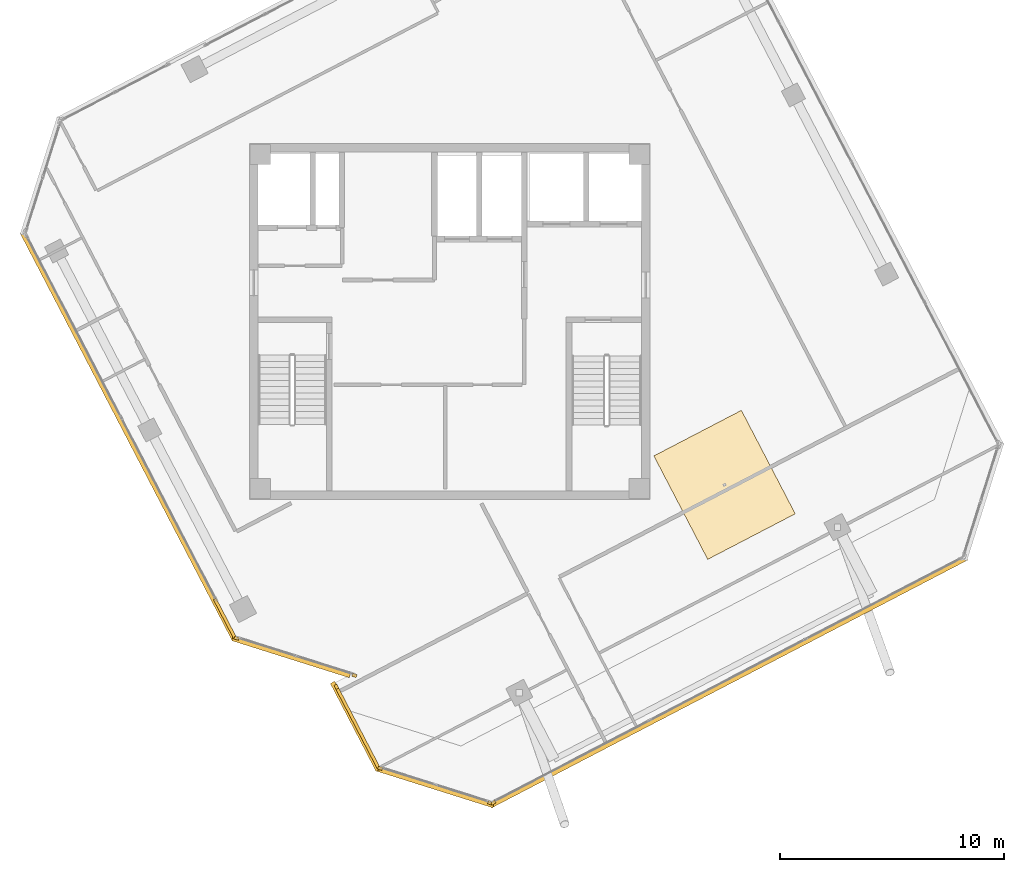
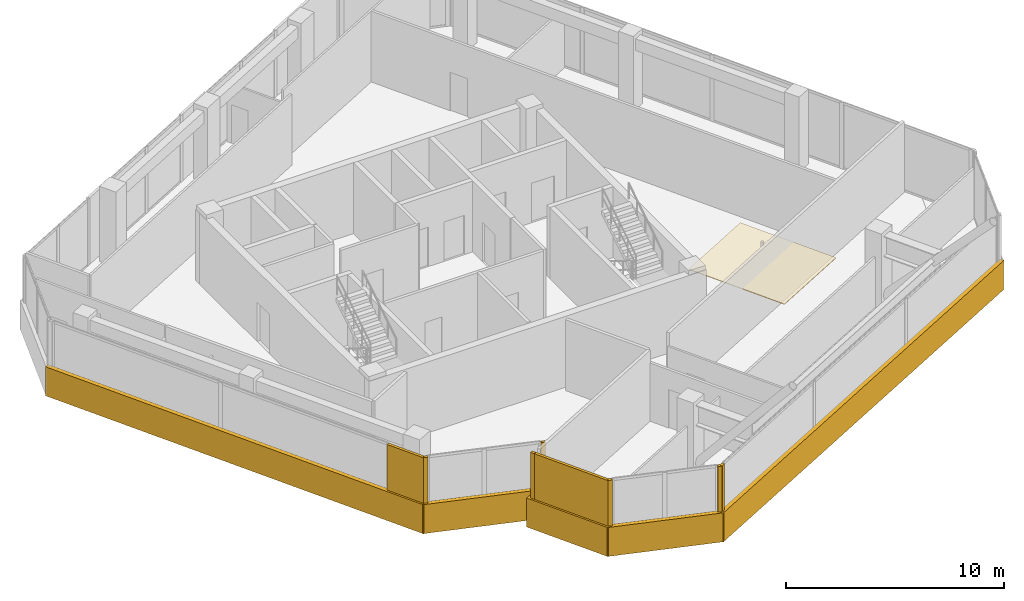
# One storey, part 15 of 17: 14 coverings.
"""IFC4 building model written with IfcOpenShell, lengths in metres."""

from ifc_helpers import new_model, si_unit, direction, frame, origin, origin_2d, place, context, subcontext, project, spatial, polyline, rectangle, outline, extrude, source, transform, mapped, material, layer, layer_set, type_object, element, save


model = new_model("IFC4")

# Units and contexts
model_context = context("Model", 3, precision=1e-05, world=origin(), true_north=direction((0.0, 1.0)))
body_context = subcontext(model_context, "Body", "Model", "MODEL_VIEW")
ifc_project = project(units=[si_unit("LENGTHUNIT", "METRE"), si_unit("AREAUNIT", "SQUARE_METRE"), si_unit("VOLUMEUNIT", "CUBIC_METRE"), si_unit("PLANEANGLEUNIT", "RADIAN"), si_unit("MASSUNIT", "GRAM", prefix="KILO")], contexts=[model_context])

# Site, building, storey
site_placement = place(None, origin())
site = spatial("IfcSite", under=ifc_project, at=site_placement, CompositionType="ELEMENT")
building_placement = place(site_placement, origin())
building = spatial("IfcBuilding", under=site, at=building_placement, Name="Torre Montelarca", CompositionType="ELEMENT")
storey_placement = place(building_placement, frame((0.0, 0.0, 332.39990234375)))
storey = spatial("IfcBuildingStorey", under=building, at=storey_placement, Name="L75", CompositionType="ELEMENT", Elevation=332.39990234375)

# Coverings
ifc_material_1 = material(Name="Perforated acoustic mineral fibre board", Category="gypsum")
ifc_layer_1 = layer(ifc_material_1, 0.0400390625, Name="Perforated acoustic mineral fibre board", Category="gypsum")
ifc_layer_set_1 = layer_set([ifc_layer_1], Name="Perforated acoustic mineral fibre board")
covering_type_1 = type_object("IfcCoveringType", Name="COV-CEIL-AC1", PredefinedType="CEILING", material=ifc_layer_set_1)
covering_1_placement = place(storey_placement, frame((0.0, 0.0, 2.72021484375)))
element("IfcCovering", 1, at=covering_1_placement, inside=storey, type_object=covering_type_1, Name="L75 Acoustic Suspended Ceiling 01", PredefinedType="CEILING", context=body_context, shape_type="SweptSolid", body=[
    extrude(outline(polyline([(27.09912109375, 26.008544921875), (29.500244140625, 21.39599609375), (33.4033203125, 23.427734375), (31.002197265625, 28.040283203125), (27.09912109375, 26.008544921875)])), origin(), (0.0, 0.0, 1.0), 0.039794921875),
])
ifc_material_2 = material(Name="Bush-hammered warm white precast concrete C45/55", Category="concrete")
ifc_layer_2 = layer(ifc_material_2, 0.139892578125, Name="Bush-hammered warm white precast concrete C45/55", Category="concrete")
ifc_layer_set_2 = layer_set([ifc_layer_2], Name="Bush-hammered warm white precast concrete C45/55")
covering_type_2 = type_object("IfcCoveringType", Name="COV-TRAY-CLAD", PredefinedType="CLADDING", material=ifc_layer_set_2)
shared_shape_1 = source(origin(), body_context, "Body", "SweptSolid", [
    extrude(rectangle(XDim=0.199951171875, YDim=0.139892578125, at=origin_2d()), origin(), (0.0, 0.0, 1.0), 3.719970703125),
])
for number, where, z_axis, x_axis, name in (
    (2, (8.495361328125, 17.881591796875, 0.0), (0.0, 0.0, 1.0), (0.953717475577, -0.300704134954, 0.0), "L75 Architectural Column Pier Cladding E02-1"),
    (3, (13.75048828125, 16.224609375, 0.0), (0.0, 0.0, 1.0), (0.953717475577, -0.300704134954, 0.0), "L75 Architectural Column Pier Cladding E02-2"),
    (4, (12.94189453125, 15.716552734375, 0.0), (0.0, 0.0, 1.0), (0.461776479274, -0.88699632648, 0.0), "L75 Architectural Column Pier Cladding E04-1"),
    (5, (14.896484375, 12.08203125, 0.0), (0.0, 0.0, 1.0), (0.953718525227, -0.30070080585, 0.0), "L75 Architectural Column Pier Cladding E05-1"),
    (6, (19.80078125, 10.535888671875, 0.0), (0.0, 0.0, 1.0), (0.953718525227, -0.30070080585, 0.0), "L75 Architectural Column Pier Cladding E05-2"),
    (7, (19.9453125, 10.54833984375, 0.0), (0.0, 0.0, 1.0), (0.88701163908, 0.461747065108, 0.0), "L75 Architectural Column Pier Cladding E06-1"),
):
    element("IfcCovering", number, at=place(storey_placement, frame(where, z_axis=z_axis, x_axis=x_axis)), inside=storey, type_object=covering_type_2, Name=name, PredefinedType="CLADDING", context=body_context, shape_type="MappedRepresentation", body=[
        mapped(shared_shape_1, transform((0.0, 0.0, 0.0), scale=1.0)),
    ])
shared_shape_2 = source(origin(), body_context, "Body", "SweptSolid", [
    extrude(rectangle(XDim=5.493896484375, YDim=0.219970703125, at=origin_2d()), origin(), (0.0, 0.0, 1.0), 1.6201171875),
])
for number, where, z_axis, x_axis, name in (
    (8, (10.929443359375, 17.05126953125, -0.449951171875), (0.0, 0.0, 1.0), (0.953716950748, -0.300705799504, 0.0), "L75 Architectural White Spandrel Tray Band TRYBOT-02"),
    (9, (17.330810546875, 11.251708984375, -0.449951171875), (0.0, 0.0, 1.0), (0.953716950748, -0.300705799504, 0.0), "L75 Architectural White Spandrel Tray Band TRYBOT-05"),
):
    element("IfcCovering", number, at=place(storey_placement, frame(where, z_axis=z_axis, x_axis=x_axis)), inside=storey, type_object=covering_type_2, Name=name, PredefinedType="CLADDING", context=body_context, shape_type="MappedRepresentation", body=[
        mapped(shared_shape_2, transform((0.0, 0.0, 0.0), scale=1.0)),
    ])
shared_shape_3 = source(origin(), body_context, "Body", "SweptSolid", [
    extrude(rectangle(XDim=4.09228515625, YDim=0.139892578125, at=origin_2d()), origin(), (0.0, 0.0, 1.0), 3.719970703125),
])
covering_2_placement = place(storey_placement, frame((13.88671875, 13.901611328125, 0.0), z_axis=(0.0, 0.0, 1.0), x_axis=(0.461776479274, -0.88699632648, 0.0)))
element("IfcCovering", 10, at=covering_2_placement, inside=storey, type_object=covering_type_2, Name="L75 Architectural Column Pier Cladding E04-2", PredefinedType="CLADDING", context=body_context, shape_type="MappedRepresentation", body=[
    mapped(shared_shape_3, transform((0.0, 0.0, 0.0), scale=1.0)),
])
shared_shape_4 = source(origin(), body_context, "Body", "SweptSolid", [
    extrude(rectangle(XDim=20.52001953125, YDim=0.219970703125, at=origin_2d()), origin(), (0.0, 0.0, 1.0), 1.6201171875),
])
covering_3_placement = place(storey_placement, frame((3.674560546875, 26.89208984375, -0.449951171875), z_axis=(0.0, 0.0, 1.0), x_axis=(0.46175016136, -0.887010027274, 0.0)))
element("IfcCovering", 11, at=covering_3_placement, inside=storey, type_object=covering_type_2, Name="L75 Architectural White Spandrel Tray Band TRYBOT-01", PredefinedType="CLADDING", context=body_context, shape_type="MappedRepresentation", body=[
    mapped(shared_shape_4, transform((0.0, 0.0, 0.0), scale=1.0)),
])
shared_shape_5 = source(origin(), body_context, "Body", "SweptSolid", [
    extrude(rectangle(XDim=4.419921875, YDim=0.219970703125, at=origin_2d()), origin(), (0.0, 0.0, 1.0), 1.6201171875),
])
covering_4_placement = place(storey_placement, frame((13.792724609375, 13.951904296875, -0.449951171875), z_axis=(0.0, 0.0, 1.0), x_axis=(0.461767190645, -0.887001162143, 0.0)))
element("IfcCovering", 12, at=covering_4_placement, inside=storey, type_object=covering_type_2, Name="L75 Architectural White Spandrel Tray Band TRYBOT-04", PredefinedType="CLADDING", context=body_context, shape_type="MappedRepresentation", body=[
    mapped(shared_shape_5, transform((0.0, 0.0, 0.0), scale=1.0)),
])
shared_shape_6 = source(origin(), body_context, "Body", "SweptSolid", [
    extrude(rectangle(XDim=23.919921875, YDim=0.219970703125, at=origin_2d()), origin(), (0.0, 0.0, 1.0), 1.6201171875),
])
covering_5_placement = place(storey_placement, frame((30.42578125, 15.9365234375, -0.449951171875), z_axis=(0.0, 0.0, 1.0), x_axis=(0.887010833178, 0.461748613235, 0.0)))
element("IfcCovering", 13, at=covering_5_placement, inside=storey, type_object=covering_type_2, Name="L75 Architectural White Spandrel Tray Band TRYBOT-06", PredefinedType="CLADDING", context=body_context, shape_type="MappedRepresentation", body=[
    mapped(shared_shape_6, transform((0.0, 0.0, 0.0), scale=1.0)),
])
shared_shape_7 = source(origin(), body_context, "Body", "SweptSolid", [
    extrude(rectangle(XDim=1.964111328125, YDim=0.139892578125, at=origin_2d()), origin(), (0.0, 0.0, 1.0), 3.719970703125),
])
covering_6_placement = place(storey_placement, frame((7.976806640625, 18.75732421875, 0.0), z_axis=(0.0, 0.0, 1.0), x_axis=(0.461748613235, -0.887010833178, 0.0)))
element("IfcCovering", 14, at=covering_6_placement, inside=storey, type_object=covering_type_2, Name="L75 Architectural Column Pier Cladding E01-2", PredefinedType="CLADDING", context=body_context, shape_type="MappedRepresentation", body=[
    mapped(shared_shape_7, transform((0.0, 0.0, 0.0), scale=1.0)),
])

save(model, "model.ifc")
